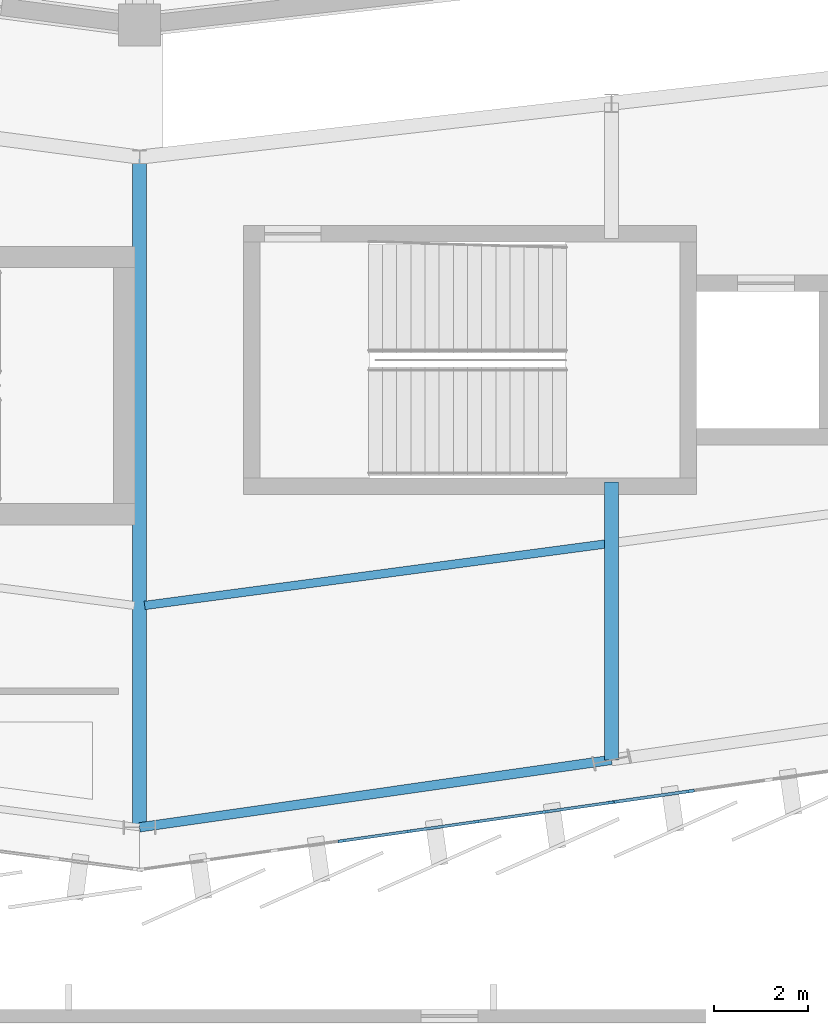
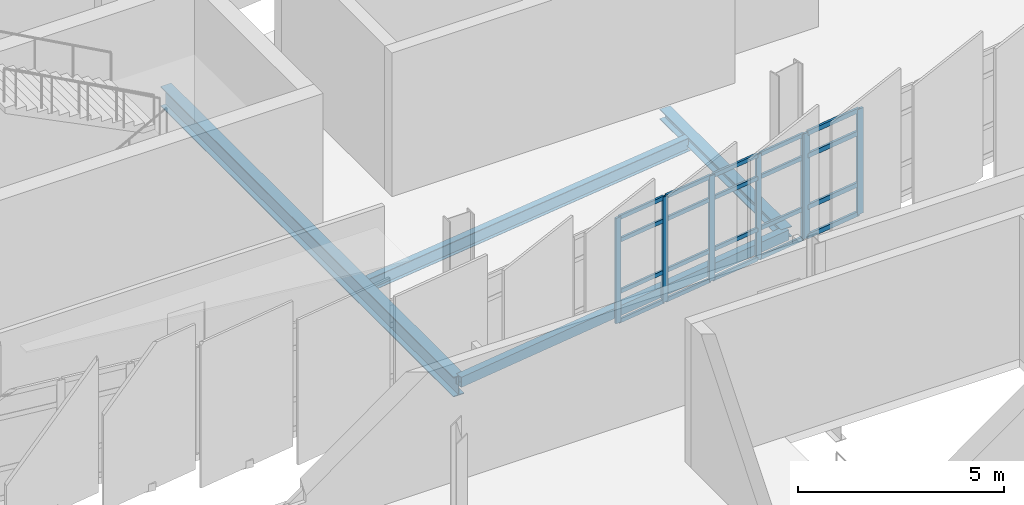
# One storey, part 33 of 120: 27 members, 4 beams, 2 elements without a shape of their own.
"""IFC4 building model written with IfcOpenShell, lengths in metres."""

from ifc_helpers import new_model, si_unit, direction, frame, origin, origin_2d, place, context, subcontext, project, spatial, rectangle, hollow_rectangle, i_section, extrude, material, layer, layer_set, material_profile, profile_set, type_object, element, aggregate, save


model = new_model("IFC4")

# Units and contexts
model_context = context("Model", 3, precision=1e-05, world=origin(), true_north=direction((0.0, 1.0)))
body_context = subcontext(model_context, "Body", "Model", "MODEL_VIEW")
ifc_project = project(units=[si_unit("LENGTHUNIT", "METRE"), si_unit("AREAUNIT", "SQUARE_METRE"), si_unit("VOLUMEUNIT", "CUBIC_METRE"), si_unit("PLANEANGLEUNIT", "RADIAN"), si_unit("MASSUNIT", "GRAM", prefix="KILO")], contexts=[model_context])

# Site, building, storey
site_placement = place(None, origin())
site = spatial("IfcSite", under=ifc_project, at=site_placement, CompositionType="ELEMENT")
building_placement = place(site_placement, origin())
building = spatial("IfcBuilding", under=site, at=building_placement, Name="Sohan Crest Arena", CompositionType="ELEMENT")
storey_placement = place(building_placement, frame((0.0, 0.0, 13.5)))
storey = spatial("IfcBuildingStorey", under=building, at=storey_placement, Name="L03", CompositionType="ELEMENT", Elevation=13.5)

# Curtain wall, members
ifc_material_1 = material(Name="Thermally broken anodised aluminium", Category="aluminium")
ifc_layer_1 = layer(ifc_material_1, 0.179931640625, Name="Thermally broken anodised aluminium")
ifc_layer_set_1 = layer_set([ifc_layer_1], Name="Thermally broken anodised aluminium")
curtain_wall_type_1 = type_object("IfcCurtainWallType", Name="ARC-CW01", PredefinedType="NOTDEFINED", material=ifc_layer_set_1)
curtain_wall_1_placement = place(storey_placement, origin())
curtain_wall_1 = element("IfcCurtainWall", 1, at=curtain_wall_1_placement, inside=storey, type_object=curtain_wall_type_1, Name="Unitised curtain wall CW-090", PredefinedType="NOTDEFINED")
ifc_material_profile_1 = material_profile(ifc_material_1, rectangle(XDim=0.06005859375, YDim=0.159912109375, at=origin_2d()), Name="ALU-MULL 60x160")
ifc_profile_set_1 = profile_set([ifc_material_profile_1], Name="Thermally broken anodised aluminium")
member_type_1 = type_object("IfcMemberType", Name="ARC-CW-ML01", PredefinedType="MULLION", material=ifc_profile_set_1)
member_1_placement = place(storey_placement, frame((102.28564453125, 29.71240234375, 0.0), z_axis=(0.0, 0.0, 1.0), x_axis=(-0.141462933734, 0.989943553128, 0.0)))
member_1 = element("IfcMember", 2, at=member_1_placement, type_object=member_type_1, Name="CW-090 mullion 4", PredefinedType="MULLION", context=body_context, shape_type="SweptSolid", body=[
    extrude(rectangle(XDim=0.06005859375, YDim=0.159912109375, at=origin_2d()), origin(), (0.0, 0.0, 1.0), 3.1201171875),
])
member_2_placement = place(storey_placement, frame((103.71435546875, 29.91650390625, 0.0), z_axis=(0.0, 0.0, 1.0), x_axis=(-0.141462933734, 0.989943553128, 0.0)))
member_2 = element("IfcMember", 3, at=member_2_placement, type_object=member_type_1, Name="CW-090 mullion 5", PredefinedType="MULLION", context=body_context, shape_type="SweptSolid", body=[
    extrude(rectangle(XDim=0.06005859375, YDim=0.159912109375, at=origin_2d()), origin(), (0.0, 0.0, 1.0), 3.1201171875),
])
member_3_placement = place(storey_placement, frame((105.142822265625, 30.12060546875, 0.0), z_axis=(0.0, 0.0, 1.0), x_axis=(-0.141462933734, 0.989943553128, 0.0)))
member_3 = element("IfcMember", 4, at=member_3_placement, type_object=member_type_1, Name="CW-090 mullion 6", PredefinedType="MULLION", context=body_context, shape_type="SweptSolid", body=[
    extrude(rectangle(XDim=0.06005859375, YDim=0.159912109375, at=origin_2d()), origin(), (0.0, 0.0, 1.0), 3.1201171875),
])
member_4_placement = place(storey_placement, frame((106.571533203125, 30.324951171875, 0.0), z_axis=(0.0, 0.0, 1.0), x_axis=(-0.141462933734, 0.989943553128, 0.0)))
member_4 = element("IfcMember", 5, at=member_4_placement, type_object=member_type_1, Name="CW-090 mullion 7", PredefinedType="MULLION", context=body_context, shape_type="SweptSolid", body=[
    extrude(rectangle(XDim=0.06005859375, YDim=0.159912109375, at=origin_2d()), origin(), (0.0, 0.0, 1.0), 3.1201171875),
])
member_5_placement = place(storey_placement, frame((107.97021484375, 30.524658203125, 0.0), z_axis=(0.0, 0.0, 1.0), x_axis=(-0.141462933734, 0.989943553128, 0.0)))
member_5 = element("IfcMember", 6, at=member_5_placement, type_object=member_type_1, Name="CW-090 mullion 8", PredefinedType="MULLION", context=body_context, shape_type="SweptSolid", body=[
    extrude(rectangle(XDim=0.06005859375, YDim=0.159912109375, at=origin_2d()), origin(), (0.0, 0.0, 1.0), 3.1201171875),
])

ifc_layer_2 = layer(ifc_material_1, 0.199951171875, Name="Thermally broken anodised aluminium")
ifc_layer_set_2 = layer_set([ifc_layer_2], Name="Thermally broken anodised aluminium")
curtain_wall_type_2 = type_object("IfcCurtainWallType", Name="ARC-CW02", PredefinedType="NOTDEFINED", material=ifc_layer_set_2)
curtain_wall_2_placement = place(storey_placement, origin())
curtain_wall_2 = element("IfcCurtainWall", 7, at=curtain_wall_2_placement, inside=storey, type_object=curtain_wall_type_2, Name="Unitised curtain wall CW-091", PredefinedType="NOTDEFINED")
ifc_material_profile_2 = material_profile(ifc_material_1, rectangle(XDim=0.06494140625, YDim=0.179931640625, at=origin_2d()), Name="ALU-MULL 65x180")
ifc_profile_set_2 = profile_set([ifc_material_profile_2], Name="Thermally broken anodised aluminium")
member_type_2 = type_object("IfcMemberType", Name="ARC-CW-ML02", PredefinedType="MULLION", material=ifc_profile_set_2)
member_6_placement = place(storey_placement, frame((108.0322265625, 30.53369140625, 0.0), z_axis=(0.0, 0.0, 1.0), x_axis=(-0.141365918403, 0.989957411768, 0.0)))
member_6 = element("IfcMember", 8, at=member_6_placement, type_object=member_type_2, Name="CW-091 mullion 1", PredefinedType="MULLION", context=body_context, shape_type="SweptSolid", body=[
    extrude(rectangle(XDim=0.06494140625, YDim=0.179931640625, at=origin_2d()), origin(), (0.0, 0.0, 1.0), 3.1201171875),
])
member_7_placement = place(storey_placement, frame((109.666748046875, 30.76708984375, 0.0), z_axis=(0.0, 0.0, 1.0), x_axis=(-0.141365918403, 0.989957411768, 0.0)))
member_7 = element("IfcMember", 9, at=member_7_placement, type_object=member_type_2, Name="CW-091 mullion 2", PredefinedType="MULLION", context=body_context, shape_type="SweptSolid", body=[
    extrude(rectangle(XDim=0.06494140625, YDim=0.179931640625, at=origin_2d()), origin(), (0.0, 0.0, 1.0), 3.1201171875),
])

# Member
ifc_material_profile_3 = material_profile(ifc_material_1, rectangle(XDim=0.06005859375, YDim=0.1201171875, at=origin_2d()), Name="ALU-TRAN 60x120")
ifc_profile_set_3 = profile_set([ifc_material_profile_3], Name="Thermally broken anodised aluminium")
member_type_3 = type_object("IfcMemberType", Name="ARC-CW-TR01", PredefinedType="USERDEFINED", material=ifc_profile_set_3)
member_8_placement = place(storey_placement, frame((102.3154296875, 29.716552734375, 0.030029296875), z_axis=(0.989928300068, 0.141569632071, 0.0), x_axis=(-0.141569632071, 0.989928300068, 0.0)))
member_8 = element("IfcMember", 10, at=member_8_placement, type_object=member_type_3, Name="CW-090 transom 4.1", ObjectType="TRANSOM", PredefinedType="USERDEFINED", context=body_context, shape_type="SweptSolid", body=[
    extrude(rectangle(XDim=0.06005859375, YDim=0.1201171875, at=origin_2d()), origin(), (0.0, 0.0, 1.0), 1.383056640625),
])

member_9_placement = place(storey_placement, frame((102.3154296875, 29.716552734375, 0.89990234375), z_axis=(0.989928300068, 0.141569632071, 0.0), x_axis=(-0.141569632071, 0.989928300068, 0.0)))
member_9 = element("IfcMember", 11, at=member_9_placement, type_object=member_type_3, Name="CW-090 transom 4.2", ObjectType="TRANSOM", PredefinedType="USERDEFINED", context=body_context, shape_type="SweptSolid", body=[
    extrude(rectangle(XDim=0.06005859375, YDim=0.1201171875, at=origin_2d()), origin(), (0.0, 0.0, 1.0), 1.383056640625),
])

member_10_placement = place(storey_placement, frame((102.3154296875, 29.716552734375, 2.419921875), z_axis=(0.989928300068, 0.141569632071, 0.0), x_axis=(-0.141569632071, 0.989928300068, 0.0)))
member_10 = element("IfcMember", 12, at=member_10_placement, type_object=member_type_3, Name="CW-090 transom 4.3", ObjectType="TRANSOM", PredefinedType="USERDEFINED", context=body_context, shape_type="SweptSolid", body=[
    extrude(rectangle(XDim=0.06005859375, YDim=0.1201171875, at=origin_2d()), origin(), (0.0, 0.0, 1.0), 1.383056640625),
])

member_11_placement = place(storey_placement, frame((102.3154296875, 29.716552734375, 3.090087890625), z_axis=(0.989928300068, 0.141569632071, 0.0), x_axis=(-0.141569632071, 0.989928300068, 0.0)))
member_11 = element("IfcMember", 13, at=member_11_placement, type_object=member_type_3, Name="CW-090 transom 4.4", ObjectType="TRANSOM", PredefinedType="USERDEFINED", context=body_context, shape_type="SweptSolid", body=[
    extrude(rectangle(XDim=0.06005859375, YDim=0.1201171875, at=origin_2d()), origin(), (0.0, 0.0, 1.0), 1.383056640625),
])

member_12_placement = place(storey_placement, frame((103.743896484375, 29.9208984375, 0.030029296875), z_axis=(0.989953023856, 0.141396642673, 0.0), x_axis=(-0.141396642673, 0.989953023856, 0.0)))
member_12 = element("IfcMember", 14, at=member_12_placement, type_object=member_type_3, Name="CW-090 transom 5.1", ObjectType="TRANSOM", PredefinedType="USERDEFINED", context=body_context, shape_type="SweptSolid", body=[
    extrude(rectangle(XDim=0.06005859375, YDim=0.1201171875, at=origin_2d()), origin(), (0.0, 0.0, 1.0), 1.383056640625),
])

member_13_placement = place(storey_placement, frame((103.743896484375, 29.9208984375, 0.89990234375), z_axis=(0.989953023856, 0.141396642673, 0.0), x_axis=(-0.141396642673, 0.989953023856, 0.0)))
member_13 = element("IfcMember", 15, at=member_13_placement, type_object=member_type_3, Name="CW-090 transom 5.2", ObjectType="TRANSOM", PredefinedType="USERDEFINED", context=body_context, shape_type="SweptSolid", body=[
    extrude(rectangle(XDim=0.06005859375, YDim=0.1201171875, at=origin_2d()), origin(), (0.0, 0.0, 1.0), 1.383056640625),
])

member_14_placement = place(storey_placement, frame((103.743896484375, 29.9208984375, 2.419921875), z_axis=(0.989953023856, 0.141396642673, 0.0), x_axis=(-0.141396642673, 0.989953023856, 0.0)))
member_14 = element("IfcMember", 16, at=member_14_placement, type_object=member_type_3, Name="CW-090 transom 5.3", ObjectType="TRANSOM", PredefinedType="USERDEFINED", context=body_context, shape_type="SweptSolid", body=[
    extrude(rectangle(XDim=0.06005859375, YDim=0.1201171875, at=origin_2d()), origin(), (0.0, 0.0, 1.0), 1.383056640625),
])

member_15_placement = place(storey_placement, frame((103.743896484375, 29.9208984375, 3.090087890625), z_axis=(0.989953023856, 0.141396642673, 0.0), x_axis=(-0.141396642673, 0.989953023856, 0.0)))
member_15 = element("IfcMember", 17, at=member_15_placement, type_object=member_type_3, Name="CW-090 transom 5.4", ObjectType="TRANSOM", PredefinedType="USERDEFINED", context=body_context, shape_type="SweptSolid", body=[
    extrude(rectangle(XDim=0.06005859375, YDim=0.1201171875, at=origin_2d()), origin(), (0.0, 0.0, 1.0), 1.383056640625),
])

member_16_placement = place(storey_placement, frame((105.172607421875, 30.125, 0.030029296875), z_axis=(0.989953023856, 0.141396642673, 0.0), x_axis=(-0.141396642673, 0.989953023856, 0.0)))
member_16 = element("IfcMember", 18, at=member_16_placement, type_object=member_type_3, Name="CW-090 transom 6.1", ObjectType="TRANSOM", PredefinedType="USERDEFINED", context=body_context, shape_type="SweptSolid", body=[
    extrude(rectangle(XDim=0.06005859375, YDim=0.1201171875, at=origin_2d()), origin(), (0.0, 0.0, 1.0), 1.383056640625),
])

member_17_placement = place(storey_placement, frame((105.172607421875, 30.125, 0.89990234375), z_axis=(0.989953023856, 0.141396642673, 0.0), x_axis=(-0.141396642673, 0.989953023856, 0.0)))
member_17 = element("IfcMember", 19, at=member_17_placement, type_object=member_type_3, Name="CW-090 transom 6.2", ObjectType="TRANSOM", PredefinedType="USERDEFINED", context=body_context, shape_type="SweptSolid", body=[
    extrude(rectangle(XDim=0.06005859375, YDim=0.1201171875, at=origin_2d()), origin(), (0.0, 0.0, 1.0), 1.383056640625),
])

member_18_placement = place(storey_placement, frame((105.172607421875, 30.125, 2.419921875), z_axis=(0.989953023856, 0.141396642673, 0.0), x_axis=(-0.141396642673, 0.989953023856, 0.0)))
member_18 = element("IfcMember", 20, at=member_18_placement, type_object=member_type_3, Name="CW-090 transom 6.3", ObjectType="TRANSOM", PredefinedType="USERDEFINED", context=body_context, shape_type="SweptSolid", body=[
    extrude(rectangle(XDim=0.06005859375, YDim=0.1201171875, at=origin_2d()), origin(), (0.0, 0.0, 1.0), 1.383056640625),
])

member_19_placement = place(storey_placement, frame((105.172607421875, 30.125, 3.090087890625), z_axis=(0.989953023856, 0.141396642673, 0.0), x_axis=(-0.141396642673, 0.989953023856, 0.0)))
member_19 = element("IfcMember", 21, at=member_19_placement, type_object=member_type_3, Name="CW-090 transom 6.4", ObjectType="TRANSOM", PredefinedType="USERDEFINED", context=body_context, shape_type="SweptSolid", body=[
    extrude(rectangle(XDim=0.06005859375, YDim=0.1201171875, at=origin_2d()), origin(), (0.0, 0.0, 1.0), 1.383056640625),
])

member_20_placement = place(storey_placement, frame((106.60107421875, 30.3291015625, 0.030029296875), z_axis=(0.989945885007, 0.141446614515, 0.0), x_axis=(-0.141446614515, 0.989945885007, 0.0)))
member_20 = element("IfcMember", 22, at=member_20_placement, type_object=member_type_3, Name="CW-090 transom 7.1", ObjectType="TRANSOM", PredefinedType="USERDEFINED", context=body_context, shape_type="SweptSolid", body=[
    extrude(rectangle(XDim=0.06005859375, YDim=0.1201171875, at=origin_2d()), origin(), (0.0, 0.0, 1.0), 1.353271484375),
])

member_21_placement = place(storey_placement, frame((106.60107421875, 30.3291015625, 0.89990234375), z_axis=(0.989945885007, 0.141446614515, 0.0), x_axis=(-0.141446614515, 0.989945885007, 0.0)))
member_21 = element("IfcMember", 23, at=member_21_placement, type_object=member_type_3, Name="CW-090 transom 7.2", ObjectType="TRANSOM", PredefinedType="USERDEFINED", context=body_context, shape_type="SweptSolid", body=[
    extrude(rectangle(XDim=0.06005859375, YDim=0.1201171875, at=origin_2d()), origin(), (0.0, 0.0, 1.0), 1.353271484375),
])

member_22_placement = place(storey_placement, frame((106.60107421875, 30.3291015625, 2.419921875), z_axis=(0.989945885007, 0.141446614515, 0.0), x_axis=(-0.141446614515, 0.989945885007, 0.0)))
member_22 = element("IfcMember", 24, at=member_22_placement, type_object=member_type_3, Name="CW-090 transom 7.3", ObjectType="TRANSOM", PredefinedType="USERDEFINED", context=body_context, shape_type="SweptSolid", body=[
    extrude(rectangle(XDim=0.06005859375, YDim=0.1201171875, at=origin_2d()), origin(), (0.0, 0.0, 1.0), 1.353271484375),
])

member_23_placement = place(storey_placement, frame((106.60107421875, 30.3291015625, 3.090087890625), z_axis=(0.989945885007, 0.141446614515, 0.0), x_axis=(-0.141446614515, 0.989945885007, 0.0)))
member_23 = element("IfcMember", 25, at=member_23_placement, type_object=member_type_3, Name="CW-090 transom 7.4", ObjectType="TRANSOM", PredefinedType="USERDEFINED", context=body_context, shape_type="SweptSolid", body=[
    extrude(rectangle(XDim=0.06005859375, YDim=0.1201171875, at=origin_2d()), origin(), (0.0, 0.0, 1.0), 1.353271484375),
])

aggregate(curtain_wall_1, [member_1, member_2, member_3, member_4, member_5, member_8, member_9, member_10, member_11, member_12, member_13, member_14, member_15, member_16, member_17, member_18, member_19, member_20, member_21, member_22, member_23])

ifc_material_profile_4 = material_profile(ifc_material_1, rectangle(XDim=0.06494140625, YDim=0.139892578125, at=origin_2d()), Name="ALU-TRAN 65x140")
ifc_profile_set_4 = profile_set([ifc_material_profile_4], Name="Thermally broken anodised aluminium")
member_type_4 = type_object("IfcMemberType", Name="ARC-CW-TR02", PredefinedType="USERDEFINED", material=ifc_profile_set_4)
member_24_placement = place(storey_placement, frame((108.064453125, 30.5380859375, 0.032470703125), z_axis=(0.989943335402, 0.141464457353, 0.0), x_axis=(-0.141464457353, 0.989943335402, 0.0)))
member_24 = element("IfcMember", 26, at=member_24_placement, type_object=member_type_4, Name="CW-091 transom 1.1", ObjectType="TRANSOM", PredefinedType="USERDEFINED", context=body_context, shape_type="SweptSolid", body=[
    extrude(rectangle(XDim=0.06494140625, YDim=0.139892578125, at=origin_2d()), origin(), (0.0, 0.0, 1.0), 1.5859375),
])

member_25_placement = place(storey_placement, frame((108.064453125, 30.5380859375, 0.89990234375), z_axis=(0.989943335402, 0.141464457353, 0.0), x_axis=(-0.141464457353, 0.989943335402, 0.0)))
member_25 = element("IfcMember", 27, at=member_25_placement, type_object=member_type_4, Name="CW-091 transom 1.2", ObjectType="TRANSOM", PredefinedType="USERDEFINED", context=body_context, shape_type="SweptSolid", body=[
    extrude(rectangle(XDim=0.06494140625, YDim=0.139892578125, at=origin_2d()), origin(), (0.0, 0.0, 1.0), 1.5859375),
])

member_26_placement = place(storey_placement, frame((108.064453125, 30.5380859375, 2.419921875), z_axis=(0.989943335402, 0.141464457353, 0.0), x_axis=(-0.141464457353, 0.989943335402, 0.0)))
member_26 = element("IfcMember", 28, at=member_26_placement, type_object=member_type_4, Name="CW-091 transom 1.3", ObjectType="TRANSOM", PredefinedType="USERDEFINED", context=body_context, shape_type="SweptSolid", body=[
    extrude(rectangle(XDim=0.06494140625, YDim=0.139892578125, at=origin_2d()), origin(), (0.0, 0.0, 1.0), 1.5859375),
])

member_27_placement = place(storey_placement, frame((108.064453125, 30.5380859375, 3.08740234375), z_axis=(0.989943335402, 0.141464457353, 0.0), x_axis=(-0.141464457353, 0.989943335402, 0.0)))
member_27 = element("IfcMember", 29, at=member_27_placement, type_object=member_type_4, Name="CW-091 transom 1.4", ObjectType="TRANSOM", PredefinedType="USERDEFINED", context=body_context, shape_type="SweptSolid", body=[
    extrude(rectangle(XDim=0.06494140625, YDim=0.139892578125, at=origin_2d()), origin(), (0.0, 0.0, 1.0), 1.5859375),
])

aggregate(curtain_wall_2, [member_6, member_7, member_24, member_25, member_26, member_27])

# Beams
ifc_material_2 = material(Name="Steel S355", Category="steel")
ifc_material_profile_5 = material_profile(ifc_material_2, i_section(OverallWidth=0.179931640625, OverallDepth=0.39990234375, WebThickness=0.008544921875, FlangeThickness=0.013427734375, at=origin_2d()), Name="IPE 400")
ifc_profile_set_5 = profile_set([ifc_material_profile_5], Name="Steel S355")
beam_type_1 = type_object("IfcBeamType", Name="STR-BM-B03", PredefinedType="JOIST", material=ifc_profile_set_5)
beam_1_placement = place(storey_placement, frame((98.10888671875, 34.700927734375, -0.449951171875), z_axis=(0.991216229825, 0.132251222039, 0.0), x_axis=(-0.132251222039, 0.991216229825, 0.0)))
element("IfcBeam", 30, at=beam_1_placement, inside=storey, type_object=beam_type_1, Name="Structural beam J-L03-1450", PredefinedType="JOIST", context=body_context, shape_type="SweptSolid", body=[
    extrude(i_section(OverallWidth=0.179931640625, OverallDepth=0.39990234375, WebThickness=0.008544921875, FlangeThickness=0.013427734375, at=origin_2d()), origin(), (0.0, 0.0, 1.0), 9.868896484375),
])
ifc_material_profile_6 = material_profile(ifc_material_2, i_section(OverallWidth=0.300048828125, OverallDepth=0.590087890625, WebThickness=0.012939453125, FlangeThickness=0.02490234375, at=origin_2d()), Name="HEA 600")
ifc_profile_set_6 = profile_set([ifc_material_profile_6], Name="Steel S355")
beam_type_2 = type_object("IfcBeamType", Name="STR-BM-B11", PredefinedType="BEAM", material=ifc_profile_set_6)
beam_2_placement = place(storey_placement, frame((98.0, 44.199951171875, -0.544921875), z_axis=(0.0, -1.0, 0.0), x_axis=(1.0, 0.0, 0.0)))
element("IfcBeam", 31, at=beam_2_placement, inside=storey, type_object=beam_type_2, Name="Structural beam G-L03-1447", PredefinedType="BEAM", context=body_context, shape_type="SweptSolid", body=[
    extrude(i_section(OverallWidth=0.300048828125, OverallDepth=0.590087890625, WebThickness=0.012939453125, FlangeThickness=0.02490234375, at=origin_2d()), origin(), (0.0, 0.0, 1.0), 14.199951171875),
])
ifc_material_profile_7 = material_profile(ifc_material_2, i_section(OverallWidth=0.300048828125, OverallDepth=0.300048828125, WebThickness=0.010986328125, FlangeThickness=0.01904296875, at=origin_2d()), Name="HEB 300")
ifc_profile_set_7 = profile_set([ifc_material_profile_7], Name="Steel S355")
beam_type_3 = type_object("IfcBeamType", Name="STR-BM-B12", PredefinedType="BEAM", material=ifc_profile_set_7)
beam_3_placement = place(storey_placement, frame((108.0, 37.320068359375, -0.39990234375), z_axis=(0.0, -1.0, 0.0), x_axis=(1.0, 0.0, 0.0)))
element("IfcBeam", 32, at=beam_3_placement, inside=storey, type_object=beam_type_3, Name="Structural beam G-L03-1452", PredefinedType="BEAM", context=body_context, shape_type="SweptSolid", body=[
    extrude(i_section(OverallWidth=0.300048828125, OverallDepth=0.300048828125, WebThickness=0.010986328125, FlangeThickness=0.01904296875, at=origin_2d()), origin(), (0.0, 0.0, 1.0), 5.89111328125),
])
ifc_material_profile_8 = material_profile(ifc_material_2, hollow_rectangle(XDim=0.199951171875, YDim=0.300048828125, WallThickness=0.010009765625, at=origin_2d()), Name="RHS 300x200x10")
ifc_profile_set_8 = profile_set([ifc_material_profile_8], Name="Steel S355")
beam_type_4 = type_object("IfcBeamType", Name="STR-BM-SP03", PredefinedType="SPANDREL", material=ifc_profile_set_8)
beam_4_placement = place(storey_placement, frame((98.0, 30.0, -0.39990234375), z_axis=(0.989944175879, 0.141458575718, 0.0), x_axis=(-0.141458575718, 0.989944175879, 0.0)))
element("IfcBeam", 33, at=beam_4_placement, inside=storey, type_object=beam_type_4, Name="Structural beam SP-L03-1449", PredefinedType="SPANDREL", context=body_context, shape_type="SweptSolid", body=[
    extrude(hollow_rectangle(XDim=0.199951171875, YDim=0.300048828125, WallThickness=0.010009765625, at=origin_2d()), origin(), (0.0, 0.0, 1.0), 10.1015625),
])

save(model, "model.ifc")
